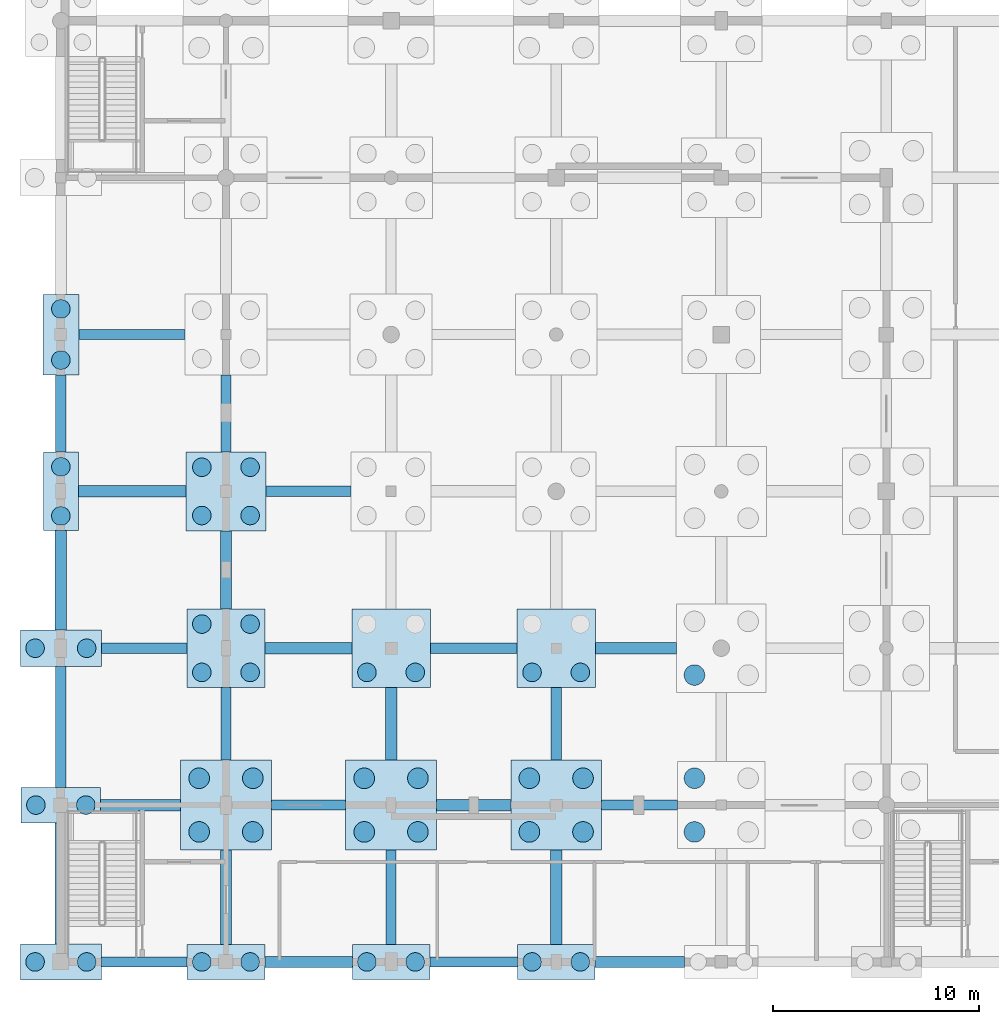
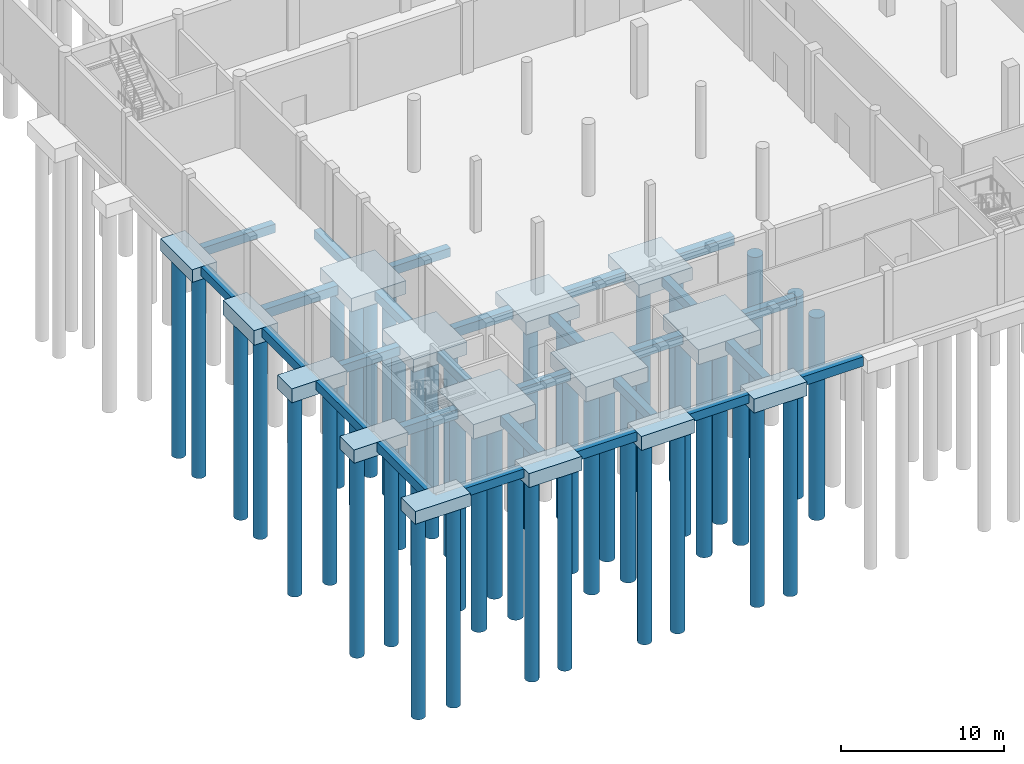
# One storey, part 1 of 44: 43 piles, 42 footings.
"""IFC4 building model written with IfcOpenShell, lengths in metres."""

from ifc_helpers import new_model, si_unit, direction, frame, origin, origin_2d, place, context, subcontext, project, spatial, polyline, circle, outline, extrude, material, material_profile, profile_set, type_object, element, save


model = new_model("IFC4")

# Units and contexts
model_context = context("Model", 3, precision=1e-05, world=origin(), true_north=direction((0.0, 1.0)))
body_context = subcontext(model_context, "Body", "Model", "MODEL_VIEW")
ifc_project = project(units=[si_unit("LENGTHUNIT", "METRE"), si_unit("AREAUNIT", "SQUARE_METRE"), si_unit("VOLUMEUNIT", "CUBIC_METRE"), si_unit("PLANEANGLEUNIT", "RADIAN"), si_unit("MASSUNIT", "GRAM", prefix="KILO")], contexts=[model_context])

# Site, building, storey
site_placement = place(None, origin())
site = spatial("IfcSite", under=ifc_project, at=site_placement, CompositionType="ELEMENT")
building_placement = place(site_placement, origin())
building = spatial("IfcBuilding", under=site, at=building_placement, Name="Khelvaren Railside Concert Hall", CompositionType="ELEMENT")
storey_placement = place(building_placement, frame((0.0, 0.0, -5.39990234375)))
storey = spatial("IfcBuildingStorey", under=building, at=storey_placement, Name="B1", CompositionType="ELEMENT", Elevation=-5.39990234375)

# Piles
ifc_material = material(Name="Concrete C35/45", Category="concrete")
ifc_material_profile_1 = material_profile(ifc_material, circle(Radius=0.449951171875, at=origin_2d()), Name="BP D900")
ifc_profile_set_1 = profile_set([ifc_material_profile_1], Name="Concrete C35/45")
pile_type_1 = type_object("IfcPileType", Name="BP51", PredefinedType="BORED", material=ifc_profile_set_1)
for number, where, z_axis, x_axis, name in (
    (1, (-1.25, 0.0, -1.35009765625), (0.0, 0.0, -1.0), (1.0, 0.0, 0.0), "Bored Pile BP51 PC-V1-000-1"),
    (2, (1.25, 0.0, -1.35009765625), (0.0, 0.0, -1.0), (1.0, 0.0, 0.0), "Bored Pile BP51 PC-V1-000-2"),
):
    element("IfcPile", number, at=place(storey_placement, frame(where, z_axis=z_axis, x_axis=x_axis)), inside=storey, type_object=pile_type_1, Name=name, PredefinedType="BORED", context=body_context, shape_type="SweptSolid", body=[
        extrude(circle(Radius=0.449951171875, at=origin_2d()), origin(), (0.0, 0.0, 1.0), 15.25),
    ])
for number, where, z_axis, x_axis, name in (
    (3, (-1.2099609375, 7.60009765625, -1.400146484375), (0.0, 0.0, -1.0), (1.0, 0.0, 0.0), "Bored Pile BP51 PC-V1-001-1"),
    (4, (1.2099609375, 7.60009765625, -1.400146484375), (0.0, 0.0, -1.0), (1.0, 0.0, 0.0), "Bored Pile BP51 PC-V1-001-2"),
):
    element("IfcPile", number, at=place(storey_placement, frame(where, z_axis=z_axis, x_axis=x_axis)), inside=storey, type_object=pile_type_1, Name=name, PredefinedType="BORED", context=body_context, shape_type="SweptSolid", body=[
        extrude(circle(Radius=0.449951171875, at=origin_2d()), origin(), (0.0, 0.0, 1.0), 15.199951171875),
    ])
for number, where, z_axis, x_axis, name in (
    (5, (-1.25, 15.199951171875, -1.4501953125), (0.0, 0.0, -1.0), (1.0, 0.0, 0.0), "Bored Pile BP51 PC-V1-002-1"),
    (6, (1.25, 15.199951171875, -1.4501953125), (0.0, 0.0, -1.0), (1.0, 0.0, 0.0), "Bored Pile BP51 PC-V1-002-2"),
):
    element("IfcPile", number, at=place(storey_placement, frame(where, z_axis=z_axis, x_axis=x_axis)), inside=storey, type_object=pile_type_1, Name=name, PredefinedType="BORED", context=body_context, shape_type="SweptSolid", body=[
        extrude(circle(Radius=0.449951171875, at=origin_2d()), origin(), (0.0, 0.0, 1.0), 15.14990234375),
    ])
for number, where, z_axis, x_axis, name in (
    (7, (0.0, 21.610107421875, -1.5), (0.0, 0.0, -1.0), (1.0, 0.0, 0.0), "Bored Pile BP51 PC-V1-003-1"),
    (8, (0.0, 23.989990234375, -1.5), (0.0, 0.0, -1.0), (1.0, 0.0, 0.0), "Bored Pile BP51 PC-V1-003-2"),
):
    element("IfcPile", number, at=place(storey_placement, frame(where, z_axis=z_axis, x_axis=x_axis)), inside=storey, type_object=pile_type_1, Name=name, PredefinedType="BORED", context=body_context, shape_type="SweptSolid", body=[
        extrude(circle(Radius=0.449951171875, at=origin_2d()), origin(), (0.0, 0.0, 1.0), 15.10009765625),
    ])
for number, where, z_axis, x_axis, name in (
    (9, (0.0, 29.159912109375, -1.35009765625), (0.0, 0.0, -1.0), (1.0, 0.0, 0.0), "Bored Pile BP51 PC-V1-004-1"),
    (10, (0.0, 31.639892578125, -1.35009765625), (0.0, 0.0, -1.0), (1.0, 0.0, 0.0), "Bored Pile BP51 PC-V1-004-2"),
):
    element("IfcPile", number, at=place(storey_placement, frame(where, z_axis=z_axis, x_axis=x_axis)), inside=storey, type_object=pile_type_1, Name=name, PredefinedType="BORED", context=body_context, shape_type="SweptSolid", body=[
        extrude(circle(Radius=0.449951171875, at=origin_2d()), origin(), (0.0, 0.0, 1.0), 15.25),
    ])
for number, where, z_axis, x_axis, name in (
    (11, (6.830078125, 0.0, -1.4501953125), (0.0, 0.0, -1.0), (1.0, 0.0, 0.0), "Bored Pile BP51 PC-V1-014-1"),
    (12, (9.169921875, 0.0, -1.4501953125), (0.0, 0.0, -1.0), (1.0, 0.0, 0.0), "Bored Pile BP51 PC-V1-014-2"),
):
    element("IfcPile", number, at=place(storey_placement, frame(where, z_axis=z_axis, x_axis=x_axis)), inside=storey, type_object=pile_type_1, Name=name, PredefinedType="BORED", context=body_context, shape_type="SweptSolid", body=[
        extrude(circle(Radius=0.449951171875, at=origin_2d()), origin(), (0.0, 0.0, 1.0), 15.14990234375),
    ])
for number, where, z_axis, x_axis, name in (
    (13, (6.830078125, 14.030029296875, -1.35009765625), (0.0, 0.0, -1.0), (1.0, 0.0, 0.0), "Bored Pile BP51 PC-V1-016-1"),
    (14, (9.169921875, 14.030029296875, -1.35009765625), (0.0, 0.0, -1.0), (1.0, 0.0, 0.0), "Bored Pile BP51 PC-V1-016-2"),
    (15, (6.830078125, 16.3701171875, -1.35009765625), (0.0, 0.0, -1.0), (1.0, 0.0, 0.0), "Bored Pile BP51 PC-V1-016-3"),
    (16, (9.169921875, 16.3701171875, -1.35009765625), (0.0, 0.0, -1.0), (1.0, 0.0, 0.0), "Bored Pile BP51 PC-V1-016-4"),
):
    element("IfcPile", number, at=place(storey_placement, frame(where, z_axis=z_axis, x_axis=x_axis)), inside=storey, type_object=pile_type_1, Name=name, PredefinedType="BORED", context=body_context, shape_type="SweptSolid", body=[
        extrude(circle(Radius=0.449951171875, at=origin_2d()), origin(), (0.0, 0.0, 1.0), 15.25),
    ])
for number, where, z_axis, x_axis, name in (
    (17, (6.830078125, 21.6298828125, -1.400146484375), (0.0, 0.0, -1.0), (1.0, 0.0, 0.0), "Bored Pile BP51 PC-V1-017-1"),
    (18, (9.169921875, 21.6298828125, -1.400146484375), (0.0, 0.0, -1.0), (1.0, 0.0, 0.0), "Bored Pile BP51 PC-V1-017-2"),
    (19, (6.830078125, 23.969970703125, -1.400146484375), (0.0, 0.0, -1.0), (1.0, 0.0, 0.0), "Bored Pile BP51 PC-V1-017-3"),
    (20, (9.169921875, 23.969970703125, -1.400146484375), (0.0, 0.0, -1.0), (1.0, 0.0, 0.0), "Bored Pile BP51 PC-V1-017-4"),
):
    element("IfcPile", number, at=place(storey_placement, frame(where, z_axis=z_axis, x_axis=x_axis)), inside=storey, type_object=pile_type_1, Name=name, PredefinedType="BORED", context=body_context, shape_type="SweptSolid", body=[
        extrude(circle(Radius=0.449951171875, at=origin_2d()), origin(), (0.0, 0.0, 1.0), 15.199951171875),
    ])
for number, where, z_axis, x_axis, name in (
    (21, (14.830078125, 0.0, -1.4501953125), (0.0, 0.0, -1.0), (1.0, 0.0, 0.0), "Bored Pile BP51 PC-V1-030-1"),
    (22, (17.169921875, 0.0, -1.4501953125), (0.0, 0.0, -1.0), (1.0, 0.0, 0.0), "Bored Pile BP51 PC-V1-030-2"),
):
    element("IfcPile", number, at=place(storey_placement, frame(where, z_axis=z_axis, x_axis=x_axis)), inside=storey, type_object=pile_type_1, Name=name, PredefinedType="BORED", context=body_context, shape_type="SweptSolid", body=[
        extrude(circle(Radius=0.449951171875, at=origin_2d()), origin(), (0.0, 0.0, 1.0), 15.14990234375),
    ])
for number, where, z_axis, x_axis, name in (
    (23, (14.830078125, 14.030029296875, -1.35009765625), (0.0, 0.0, -1.0), (1.0, 0.0, 0.0), "Bored Pile BP51 PC-V1-032-1"),
    (24, (17.169921875, 14.030029296875, -1.35009765625), (0.0, 0.0, -1.0), (1.0, 0.0, 0.0), "Bored Pile BP51 PC-V1-032-2"),
):
    element("IfcPile", number, at=place(storey_placement, frame(where, z_axis=z_axis, x_axis=x_axis)), inside=storey, type_object=pile_type_1, Name=name, PredefinedType="BORED", context=body_context, shape_type="SweptSolid", body=[
        extrude(circle(Radius=0.449951171875, at=origin_2d()), origin(), (0.0, 0.0, 1.0), 15.25),
    ])
for number, where, z_axis, x_axis, name in (
    (25, (22.830078125, 0.0, -1.4501953125), (0.0, 0.0, -1.0), (1.0, 0.0, 0.0), "Bored Pile BP51 PC-V1-046-1"),
    (26, (25.169921875, 0.0, -1.4501953125), (0.0, 0.0, -1.0), (1.0, 0.0, 0.0), "Bored Pile BP51 PC-V1-046-2"),
):
    element("IfcPile", number, at=place(storey_placement, frame(where, z_axis=z_axis, x_axis=x_axis)), inside=storey, type_object=pile_type_1, Name=name, PredefinedType="BORED", context=body_context, shape_type="SweptSolid", body=[
        extrude(circle(Radius=0.449951171875, at=origin_2d()), origin(), (0.0, 0.0, 1.0), 15.14990234375),
    ])
for number, where, z_axis, x_axis, name in (
    (27, (22.830078125, 14.030029296875, -1.35009765625), (0.0, 0.0, -1.0), (1.0, 0.0, 0.0), "Bored Pile BP51 PC-V1-048-1"),
    (28, (25.169921875, 14.030029296875, -1.35009765625), (0.0, 0.0, -1.0), (1.0, 0.0, 0.0), "Bored Pile BP51 PC-V1-048-2"),
):
    element("IfcPile", number, at=place(storey_placement, frame(where, z_axis=z_axis, x_axis=x_axis)), inside=storey, type_object=pile_type_1, Name=name, PredefinedType="BORED", context=body_context, shape_type="SweptSolid", body=[
        extrude(circle(Radius=0.449951171875, at=origin_2d()), origin(), (0.0, 0.0, 1.0), 15.25),
    ])
ifc_material_profile_2 = material_profile(ifc_material, circle(Radius=0.5, at=origin_2d()), Name="BP D1000")
ifc_profile_set_2 = profile_set([ifc_material_profile_2], Name="Concrete C35/45")
pile_type_2 = type_object("IfcPileType", Name="BP88", PredefinedType="BORED", material=ifc_profile_set_2)
for number, where, z_axis, x_axis, name in (
    (29, (6.699951171875, 6.300048828125, -1.5), (0.0, 0.0, -1.0), (1.0, 0.0, 0.0), "Bored Pile BP88 PC-V1-015-1"),
    (30, (9.300048828125, 6.300048828125, -1.5), (0.0, 0.0, -1.0), (1.0, 0.0, 0.0), "Bored Pile BP88 PC-V1-015-2"),
    (31, (6.699951171875, 8.89990234375, -1.5), (0.0, 0.0, -1.0), (1.0, 0.0, 0.0), "Bored Pile BP88 PC-V1-015-3"),
    (32, (9.300048828125, 8.89990234375, -1.5), (0.0, 0.0, -1.0), (1.0, 0.0, 0.0), "Bored Pile BP88 PC-V1-015-4"),
    (33, (14.699951171875, 6.300048828125, -1.5), (0.0, 0.0, -1.0), (1.0, 0.0, 0.0), "Bored Pile BP88 PC-V1-031-1"),
    (34, (17.300048828125, 6.300048828125, -1.5), (0.0, 0.0, -1.0), (1.0, 0.0, 0.0), "Bored Pile BP88 PC-V1-031-2"),
    (35, (14.699951171875, 8.89990234375, -1.5), (0.0, 0.0, -1.0), (1.0, 0.0, 0.0), "Bored Pile BP88 PC-V1-031-3"),
    (36, (17.300048828125, 8.89990234375, -1.5), (0.0, 0.0, -1.0), (1.0, 0.0, 0.0), "Bored Pile BP88 PC-V1-031-4"),
    (37, (22.699951171875, 6.300048828125, -1.5), (0.0, 0.0, -1.0), (1.0, 0.0, 0.0), "Bored Pile BP88 PC-V1-047-1"),
    (38, (25.300048828125, 6.300048828125, -1.5), (0.0, 0.0, -1.0), (1.0, 0.0, 0.0), "Bored Pile BP88 PC-V1-047-2"),
    (39, (22.699951171875, 8.89990234375, -1.5), (0.0, 0.0, -1.0), (1.0, 0.0, 0.0), "Bored Pile BP88 PC-V1-047-3"),
    (40, (25.300048828125, 8.89990234375, -1.5), (0.0, 0.0, -1.0), (1.0, 0.0, 0.0), "Bored Pile BP88 PC-V1-047-4"),
):
    element("IfcPile", number, at=place(storey_placement, frame(where, z_axis=z_axis, x_axis=x_axis)), inside=storey, type_object=pile_type_2, Name=name, PredefinedType="BORED", context=body_context, shape_type="SweptSolid", body=[
        extrude(circle(Radius=0.5, at=origin_2d()), origin(), (0.0, 0.0, 1.0), 15.10009765625),
    ])
for number, where, z_axis, x_axis, name in (
    (41, (30.699951171875, 6.300048828125, -1.400146484375), (0.0, 0.0, -1.0), (1.0, 0.0, 0.0), "Bored Pile BP88 PC-V1-061-1"),
    (42, (30.699951171875, 8.89990234375, -1.400146484375), (0.0, 0.0, -1.0), (1.0, 0.0, 0.0), "Bored Pile BP88 PC-V1-061-3"),
):
    element("IfcPile", number, at=place(storey_placement, frame(where, z_axis=z_axis, x_axis=x_axis)), inside=storey, type_object=pile_type_2, Name=name, PredefinedType="BORED", context=body_context, shape_type="SweptSolid", body=[
        extrude(circle(Radius=0.5, at=origin_2d()), origin(), (0.0, 0.0, 1.0), 15.199951171875),
    ])
pile_placement = place(storey_placement, frame((30.699951171875, 13.89990234375, -1.4501953125), z_axis=(0.0, 0.0, -1.0), x_axis=(1.0, 0.0, 0.0)))
element("IfcPile", 43, at=pile_placement, inside=storey, type_object=pile_type_2, Name="Bored Pile BP88 PC-V1-062-1", PredefinedType="BORED", context=body_context, shape_type="SweptSolid", body=[
    extrude(circle(Radius=0.5, at=origin_2d()), origin(), (0.0, 0.0, 1.0), 15.14990234375),
])

# Footings
footing_type_1 = type_object("IfcFootingType", Name="GB49", PredefinedType="FOOTING_BEAM", material=ifc_material)
footing_1_placement = place(storey_placement, frame((0.0, 0.0, -1.150146484375)))
element("IfcFooting", 44, at=footing_1_placement, inside=storey, type_object=footing_type_1, Name="Ground Tie Beam GB49 1", PredefinedType="FOOTING_BEAM", context=body_context, shape_type="SweptSolid", body=[
    extrude(outline(polyline([(1.9599609375, -0.25), (6.1201171875, -0.25), (6.1201171875, 0.25), (1.9599609375, 0.25), (1.9599609375, -0.25)])), origin(), (0.0, 0.0, 1.0), 0.650146484375),
])
footing_2_placement = place(storey_placement, frame((0.0, 0.0, -1.150146484375)))
element("IfcFooting", 45, at=footing_2_placement, inside=storey, type_object=footing_type_1, Name="Ground Tie Beam GB49 3", PredefinedType="FOOTING_BEAM", context=body_context, shape_type="SweptSolid", body=[
    extrude(outline(polyline([(17.8798828125, -0.25), (22.1201171875, -0.25), (22.1201171875, 0.25), (17.8798828125, 0.25), (17.8798828125, -0.25)])), origin(), (0.0, 0.0, 1.0), 0.650146484375),
])
footing_3_placement = place(storey_placement, frame((0.0, 0.0, -1.150146484375)))
element("IfcFooting", 46, at=footing_3_placement, inside=storey, type_object=footing_type_1, Name="Ground Tie Beam GB49 25", PredefinedType="FOOTING_BEAM", context=body_context, shape_type="SweptSolid", body=[
    extrude(outline(polyline([(10.199951171875, 7.35009765625), (13.800048828125, 7.35009765625), (13.800048828125, 7.85009765625), (10.199951171875, 7.85009765625), (10.199951171875, 7.35009765625)])), origin(), (0.0, 0.0, 1.0), 0.650146484375),
])
footing_4_placement = place(storey_placement, frame((0.0, 0.0, -1.150146484375)))
element("IfcFooting", 47, at=footing_4_placement, inside=storey, type_object=footing_type_1, Name="Ground Tie Beam GB49 27", PredefinedType="FOOTING_BEAM", context=body_context, shape_type="SweptSolid", body=[
    extrude(outline(polyline([(26.199951171875, 7.35009765625), (29.8798828125, 7.35009765625), (29.8798828125, 7.85009765625), (26.199951171875, 7.85009765625), (26.199951171875, 7.35009765625)])), origin(), (0.0, 0.0, 1.0), 0.650146484375),
])
footing_5_placement = place(storey_placement, frame((0.0, 0.0, -1.150146484375)))
element("IfcFooting", 48, at=footing_5_placement, inside=storey, type_object=footing_type_1, Name="Ground Tie Beam GB49 47", PredefinedType="FOOTING_BEAM", context=body_context, shape_type="SweptSolid", body=[
    extrude(outline(polyline([(1.9599609375, 14.949951171875), (6.10009765625, 14.949951171875), (6.10009765625, 15.449951171875), (1.9599609375, 15.449951171875), (1.9599609375, 14.949951171875)])), origin(), (0.0, 0.0, 1.0), 0.650146484375),
])
footing_6_placement = place(storey_placement, frame((0.0, 0.0, -1.150146484375)))
element("IfcFooting", 49, at=footing_6_placement, inside=storey, type_object=footing_type_1, Name="Ground Tie Beam GB49 49", PredefinedType="FOOTING_BEAM", context=body_context, shape_type="SweptSolid", body=[
    extrude(outline(polyline([(17.89990234375, 14.949951171875), (22.10009765625, 14.949951171875), (22.10009765625, 15.449951171875), (17.89990234375, 15.449951171875), (17.89990234375, 14.949951171875)])), origin(), (0.0, 0.0, 1.0), 0.650146484375),
])
footing_7_placement = place(storey_placement, frame((0.0, 0.0, -1.150146484375)))
element("IfcFooting", 50, at=footing_7_placement, inside=storey, type_object=footing_type_1, Name="Ground Tie Beam GB49 71", PredefinedType="FOOTING_BEAM", context=body_context, shape_type="SweptSolid", body=[
    extrude(outline(polyline([(9.93994140625, 22.550048828125), (14.06005859375, 22.550048828125), (14.06005859375, 23.050048828125), (9.93994140625, 23.050048828125), (9.93994140625, 22.550048828125)])), origin(), (0.0, 0.0, 1.0), 0.650146484375),
])
footing_8_placement = place(storey_placement, frame((0.0, 0.0, -1.150146484375)))
element("IfcFooting", 51, at=footing_8_placement, inside=storey, type_object=footing_type_1, Name="Ground Tie Beam GB49 93", PredefinedType="FOOTING_BEAM", context=body_context, shape_type="SweptSolid", body=[
    extrude(outline(polyline([(0.875, 30.14990234375), (6.02001953125, 30.14990234375), (6.02001953125, 30.64990234375), (0.875, 30.64990234375), (0.875, 30.14990234375)])), origin(), (0.0, 0.0, 1.0), 0.650146484375),
])
footing_9_placement = place(storey_placement, frame((0.0, 0.0, -1.150146484375)))
element("IfcFooting", 52, at=footing_9_placement, inside=storey, type_object=footing_type_1, Name="Ground Tie Beam GB49 209", PredefinedType="FOOTING_BEAM", context=body_context, shape_type="SweptSolid", body=[
    extrude(outline(polyline([(-0.25, 8.4599609375), (0.25, 8.4599609375), (0.25, 14.324951171875), (-0.25, 14.324951171875), (-0.25, 8.4599609375)])), origin(), (0.0, 0.0, 1.0), 0.650146484375),
])
footing_10_placement = place(storey_placement, frame((0.0, 0.0, -1.150146484375)))
element("IfcFooting", 53, at=footing_10_placement, inside=storey, type_object=footing_type_1, Name="Ground Tie Beam GB49 211", PredefinedType="FOOTING_BEAM", context=body_context, shape_type="SweptSolid", body=[
    extrude(outline(polyline([(-0.25, 24.699951171875), (0.25, 24.699951171875), (0.25, 28.449951171875), (-0.25, 28.449951171875), (-0.25, 24.699951171875)])), origin(), (0.0, 0.0, 1.0), 0.650146484375),
])
footing_11_placement = place(storey_placement, frame((0.0, 0.0, -1.150146484375)))
element("IfcFooting", 54, at=footing_11_placement, inside=storey, type_object=footing_type_1, Name="Ground Tie Beam GB49 221", PredefinedType="FOOTING_BEAM", context=body_context, shape_type="SweptSolid", body=[
    extrude(outline(polyline([(7.75, 9.780029296875), (8.25, 9.780029296875), (8.25, 13.300048828125), (7.75, 13.300048828125), (7.75, 9.780029296875)])), origin(), (0.0, 0.0, 1.0), 0.650146484375),
])
footing_12_placement = place(storey_placement, frame((0.0, 0.0, -1.150146484375)))
element("IfcFooting", 55, at=footing_12_placement, inside=storey, type_object=footing_type_1, Name="Ground Tie Beam GB49 223", PredefinedType="FOOTING_BEAM", context=body_context, shape_type="SweptSolid", body=[
    extrude(outline(polyline([(7.75, 24.719970703125), (8.25, 24.719970703125), (8.25, 28.43994140625), (7.75, 28.43994140625), (7.75, 24.719970703125)])), origin(), (0.0, 0.0, 1.0), 0.650146484375),
])
footing_13_placement = place(storey_placement, frame((0.0, 0.0, -1.150146484375)))
element("IfcFooting", 56, at=footing_13_placement, inside=storey, type_object=footing_type_1, Name="Ground Tie Beam GB49 235", PredefinedType="FOOTING_BEAM", context=body_context, shape_type="SweptSolid", body=[
    extrude(outline(polyline([(15.75, 0.85009765625), (16.25, 0.85009765625), (16.25, 5.419921875), (15.75, 5.419921875), (15.75, 0.85009765625)])), origin(), (0.0, 0.0, 1.0), 0.650146484375),
])
footing_14_placement = place(storey_placement, frame((0.0, 0.0, -1.150146484375)))
element("IfcFooting", 57, at=footing_14_placement, inside=storey, type_object=footing_type_1, Name="Ground Tie Beam GB49 251", PredefinedType="FOOTING_BEAM", context=body_context, shape_type="SweptSolid", body=[
    extrude(outline(polyline([(23.75, 9.780029296875), (24.25, 9.780029296875), (24.25, 13.300048828125), (23.75, 13.300048828125), (23.75, 9.780029296875)])), origin(), (0.0, 0.0, 1.0), 0.650146484375),
])
footing_type_2 = type_object("IfcFootingType", Name="GB57", PredefinedType="FOOTING_BEAM", material=ifc_material)
footing_15_placement = place(storey_placement, frame((0.0, 0.0, -1.2001953125)))
element("IfcFooting", 58, at=footing_15_placement, inside=storey, type_object=footing_type_2, Name="Ground Tie Beam GB57 2", PredefinedType="FOOTING_BEAM", context=body_context, shape_type="SweptSolid", body=[
    extrude(outline(polyline([(9.8798828125, -0.27490234375), (14.1201171875, -0.27490234375), (14.1201171875, 0.27490234375), (9.8798828125, 0.27490234375), (9.8798828125, -0.27490234375)])), origin(), (0.0, 0.0, 1.0), 0.7001953125),
])
footing_16_placement = place(storey_placement, frame((0.0, 0.0, -1.2001953125)))
element("IfcFooting", 59, at=footing_16_placement, inside=storey, type_object=footing_type_2, Name="Ground Tie Beam GB57 4", PredefinedType="FOOTING_BEAM", context=body_context, shape_type="SweptSolid", body=[
    extrude(outline(polyline([(25.8798828125, -0.27490234375), (30.219970703125, -0.27490234375), (30.219970703125, 0.27490234375), (25.8798828125, 0.27490234375), (25.8798828125, -0.27490234375)])), origin(), (0.0, 0.0, 1.0), 0.7001953125),
])
footing_17_placement = place(storey_placement, frame((0.0, 0.0, -1.2001953125)))
element("IfcFooting", 60, at=footing_17_placement, inside=storey, type_object=footing_type_2, Name="Ground Tie Beam GB57 24", PredefinedType="FOOTING_BEAM", context=body_context, shape_type="SweptSolid", body=[
    extrude(outline(polyline([(1.919921875, 7.324951171875), (5.800048828125, 7.324951171875), (5.800048828125, 7.875), (1.919921875, 7.875), (1.919921875, 7.324951171875)])), origin(), (0.0, 0.0, 1.0), 0.7001953125),
])
footing_18_placement = place(storey_placement, frame((0.0, 0.0, -1.2001953125)))
element("IfcFooting", 61, at=footing_18_placement, inside=storey, type_object=footing_type_2, Name="Ground Tie Beam GB57 26", PredefinedType="FOOTING_BEAM", context=body_context, shape_type="SweptSolid", body=[
    extrude(outline(polyline([(18.199951171875, 7.324951171875), (21.800048828125, 7.324951171875), (21.800048828125, 7.875), (18.199951171875, 7.875), (18.199951171875, 7.324951171875)])), origin(), (0.0, 0.0, 1.0), 0.7001953125),
])
footing_19_placement = place(storey_placement, frame((0.0, 0.0, -1.2001953125)))
element("IfcFooting", 62, at=footing_19_placement, inside=storey, type_object=footing_type_2, Name="Ground Tie Beam GB57 48", PredefinedType="FOOTING_BEAM", context=body_context, shape_type="SweptSolid", body=[
    extrude(outline(polyline([(9.89990234375, 14.925048828125), (14.10009765625, 14.925048828125), (14.10009765625, 15.47509765625), (9.89990234375, 15.47509765625), (9.89990234375, 14.925048828125)])), origin(), (0.0, 0.0, 1.0), 0.7001953125),
])
footing_20_placement = place(storey_placement, frame((0.0, 0.0, -1.2001953125)))
element("IfcFooting", 63, at=footing_20_placement, inside=storey, type_object=footing_type_2, Name="Ground Tie Beam GB57 50", PredefinedType="FOOTING_BEAM", context=body_context, shape_type="SweptSolid", body=[
    extrude(outline(polyline([(25.89990234375, 14.925048828125), (29.840087890625, 14.925048828125), (29.840087890625, 15.47509765625), (25.89990234375, 15.47509765625), (25.89990234375, 14.925048828125)])), origin(), (0.0, 0.0, 1.0), 0.7001953125),
])
footing_21_placement = place(storey_placement, frame((0.0, 0.0, -1.2001953125)))
element("IfcFooting", 64, at=footing_21_placement, inside=storey, type_object=footing_type_2, Name="Ground Tie Beam GB57 70", PredefinedType="FOOTING_BEAM", context=body_context, shape_type="SweptSolid", body=[
    extrude(outline(polyline([(0.85009765625, 22.52490234375), (6.06005859375, 22.52490234375), (6.06005859375, 23.074951171875), (0.85009765625, 23.074951171875), (0.85009765625, 22.52490234375)])), origin(), (0.0, 0.0, 1.0), 0.7001953125),
])
footing_22_placement = place(storey_placement, frame((0.0, 0.0, -1.2001953125)))
element("IfcFooting", 65, at=footing_22_placement, inside=storey, type_object=footing_type_2, Name="Ground Tie Beam GB57 208", PredefinedType="FOOTING_BEAM", context=body_context, shape_type="SweptSolid", body=[
    extrude(outline(polyline([(-0.27490234375, 0.875), (0.27490234375, 0.875), (0.27490234375, 6.739990234375), (-0.27490234375, 6.739990234375), (-0.27490234375, 0.875)])), origin(), (0.0, 0.0, 1.0), 0.7001953125),
])
footing_23_placement = place(storey_placement, frame((0.0, 0.0, -1.2001953125)))
element("IfcFooting", 66, at=footing_23_placement, inside=storey, type_object=footing_type_2, Name="Ground Tie Beam GB57 210", PredefinedType="FOOTING_BEAM", context=body_context, shape_type="SweptSolid", body=[
    extrude(outline(polyline([(-0.27490234375, 16.074951171875), (0.27490234375, 16.074951171875), (0.27490234375, 20.89990234375), (-0.27490234375, 20.89990234375), (-0.27490234375, 16.074951171875)])), origin(), (0.0, 0.0, 1.0), 0.7001953125),
])
footing_24_placement = place(storey_placement, frame((0.0, 0.0, -1.2001953125)))
element("IfcFooting", 67, at=footing_24_placement, inside=storey, type_object=footing_type_2, Name="Ground Tie Beam GB57 220", PredefinedType="FOOTING_BEAM", context=body_context, shape_type="SweptSolid", body=[
    extrude(outline(polyline([(7.72509765625, 0.85009765625), (8.27490234375, 0.85009765625), (8.27490234375, 5.419921875), (7.72509765625, 5.419921875), (7.72509765625, 0.85009765625)])), origin(), (0.0, 0.0, 1.0), 0.7001953125),
])
footing_25_placement = place(storey_placement, frame((0.0, 0.0, -1.2001953125)))
element("IfcFooting", 68, at=footing_25_placement, inside=storey, type_object=footing_type_2, Name="Ground Tie Beam GB57 222", PredefinedType="FOOTING_BEAM", context=body_context, shape_type="SweptSolid", body=[
    extrude(outline(polyline([(7.72509765625, 17.10009765625), (8.27490234375, 17.10009765625), (8.27490234375, 20.8798828125), (7.72509765625, 20.8798828125), (7.72509765625, 17.10009765625)])), origin(), (0.0, 0.0, 1.0), 0.7001953125),
])
footing_26_placement = place(storey_placement, frame((0.0, 0.0, -1.2001953125)))
element("IfcFooting", 69, at=footing_26_placement, inside=storey, type_object=footing_type_2, Name="Ground Tie Beam GB57 236", PredefinedType="FOOTING_BEAM", context=body_context, shape_type="SweptSolid", body=[
    extrude(outline(polyline([(15.72509765625, 9.780029296875), (16.27490234375, 9.780029296875), (16.27490234375, 13.300048828125), (15.72509765625, 13.300048828125), (15.72509765625, 9.780029296875)])), origin(), (0.0, 0.0, 1.0), 0.7001953125),
])
footing_27_placement = place(storey_placement, frame((0.0, 0.0, -1.2001953125)))
element("IfcFooting", 70, at=footing_27_placement, inside=storey, type_object=footing_type_2, Name="Ground Tie Beam GB57 250", PredefinedType="FOOTING_BEAM", context=body_context, shape_type="SweptSolid", body=[
    extrude(outline(polyline([(23.72509765625, 0.85009765625), (24.27490234375, 0.85009765625), (24.27490234375, 5.419921875), (23.72509765625, 5.419921875), (23.72509765625, 0.85009765625)])), origin(), (0.0, 0.0, 1.0), 0.7001953125),
])
footing_type_3 = type_object("IfcFootingType", Name="PC23", PredefinedType="PILE_CAP", material=ifc_material)
footing_28_placement = place(storey_placement, frame((0.0, 0.0, -1.4501953125)))
element("IfcFooting", 71, at=footing_28_placement, inside=storey, type_object=footing_type_3, Name="Pile Cap PC23 (0.0,0.0)", PredefinedType="PILE_CAP", context=body_context, shape_type="SweptSolid", body=[
    extrude(outline(polyline([(-1.9599609375, -0.875), (1.9599609375, -0.875), (1.9599609375, 0.875), (-1.9599609375, 0.875), (-1.9599609375, -0.875)])), origin(), (0.0, 0.0, 1.0), 0.9501953125),
])
footing_type_4 = type_object("IfcFootingType", Name="PC24", PredefinedType="PILE_CAP", material=ifc_material)
footing_29_placement = place(storey_placement, frame((0.0, 0.0, -1.60009765625)))
element("IfcFooting", 72, at=footing_29_placement, inside=storey, type_object=footing_type_4, Name="Pile Cap PC24 (0.0,22.8)", PredefinedType="PILE_CAP", context=body_context, shape_type="SweptSolid", body=[
    extrude(outline(polyline([(-0.85009765625, 20.89990234375), (0.85009765625, 20.89990234375), (0.85009765625, 24.699951171875), (-0.85009765625, 24.699951171875), (-0.85009765625, 20.89990234375)])), origin(), (0.0, 0.0, 1.0), 1.10009765625),
])
footing_type_5 = type_object("IfcFootingType", Name="PC31", PredefinedType="PILE_CAP", material=ifc_material)
footing_30_placement = place(storey_placement, frame((0.0, 0.0, -1.4501953125)))
element("IfcFooting", 73, at=footing_30_placement, inside=storey, type_object=footing_type_5, Name="Pile Cap PC31 (8.0,15.2)", PredefinedType="PILE_CAP", context=body_context, shape_type="SweptSolid", body=[
    extrude(outline(polyline([(6.10009765625, 13.300048828125), (9.89990234375, 13.300048828125), (9.89990234375, 17.10009765625), (6.10009765625, 17.10009765625), (6.10009765625, 13.300048828125)])), origin(), (0.0, 0.0, 1.0), 0.9501953125),
])
footing_31_placement = place(storey_placement, frame((0.0, 0.0, -1.4501953125)))
element("IfcFooting", 74, at=footing_31_placement, inside=storey, type_object=footing_type_5, Name="Pile Cap PC31 (16.0,15.2)", PredefinedType="PILE_CAP", context=body_context, shape_type="SweptSolid", body=[
    extrude(outline(polyline([(14.10009765625, 13.300048828125), (17.89990234375, 13.300048828125), (17.89990234375, 17.10009765625), (14.10009765625, 17.10009765625), (14.10009765625, 13.300048828125)])), origin(), (0.0, 0.0, 1.0), 0.9501953125),
])
footing_32_placement = place(storey_placement, frame((0.0, 0.0, -1.4501953125)))
element("IfcFooting", 75, at=footing_32_placement, inside=storey, type_object=footing_type_5, Name="Pile Cap PC31 (24.0,15.2)", PredefinedType="PILE_CAP", context=body_context, shape_type="SweptSolid", body=[
    extrude(outline(polyline([(22.10009765625, 13.300048828125), (25.89990234375, 13.300048828125), (25.89990234375, 17.10009765625), (22.10009765625, 17.10009765625), (22.10009765625, 13.300048828125)])), origin(), (0.0, 0.0, 1.0), 0.9501953125),
])
footing_type_6 = type_object("IfcFootingType", Name="PC58", PredefinedType="PILE_CAP", material=ifc_material)
footing_33_placement = place(storey_placement, frame((0.0, 0.0, -1.550048828125)))
element("IfcFooting", 76, at=footing_33_placement, inside=storey, type_object=footing_type_6, Name="Pile Cap PC58 (8.0,0.0)", PredefinedType="PILE_CAP", context=body_context, shape_type="SweptSolid", body=[
    extrude(outline(polyline([(6.1201171875, -0.85009765625), (9.8798828125, -0.85009765625), (9.8798828125, 0.85009765625), (6.1201171875, 0.85009765625), (6.1201171875, -0.85009765625)])), origin(), (0.0, 0.0, 1.0), 1.050048828125),
])
footing_34_placement = place(storey_placement, frame((0.0, 0.0, -1.550048828125)))
element("IfcFooting", 77, at=footing_34_placement, inside=storey, type_object=footing_type_6, Name="Pile Cap PC58 (16.0,0.0)", PredefinedType="PILE_CAP", context=body_context, shape_type="SweptSolid", body=[
    extrude(outline(polyline([(14.1201171875, -0.85009765625), (17.8798828125, -0.85009765625), (17.8798828125, 0.85009765625), (14.1201171875, 0.85009765625), (14.1201171875, -0.85009765625)])), origin(), (0.0, 0.0, 1.0), 1.050048828125),
])
footing_35_placement = place(storey_placement, frame((0.0, 0.0, -1.550048828125)))
element("IfcFooting", 78, at=footing_35_placement, inside=storey, type_object=footing_type_6, Name="Pile Cap PC58 (24.0,0.0)", PredefinedType="PILE_CAP", context=body_context, shape_type="SweptSolid", body=[
    extrude(outline(polyline([(22.1201171875, -0.85009765625), (25.8798828125, -0.85009765625), (25.8798828125, 0.85009765625), (22.1201171875, 0.85009765625), (22.1201171875, -0.85009765625)])), origin(), (0.0, 0.0, 1.0), 1.050048828125),
])
footing_type_7 = type_object("IfcFootingType", Name="PC59", PredefinedType="PILE_CAP", material=ifc_material)
footing_36_placement = place(storey_placement, frame((0.0, 0.0, -1.5)))
element("IfcFooting", 79, at=footing_36_placement, inside=storey, type_object=footing_type_7, Name="Pile Cap PC59 (0.0,7.6)", PredefinedType="PILE_CAP", context=body_context, shape_type="SweptSolid", body=[
    extrude(outline(polyline([(-1.919921875, 6.739990234375), (1.919921875, 6.739990234375), (1.919921875, 8.4599609375), (-1.919921875, 8.4599609375), (-1.919921875, 6.739990234375)])), origin(), (0.0, 0.0, 1.0), 1.0),
])
footing_type_8 = type_object("IfcFootingType", Name="PC62", PredefinedType="PILE_CAP", material=ifc_material)
footing_37_placement = place(storey_placement, frame((0.0, 0.0, -1.550048828125)))
element("IfcFooting", 80, at=footing_37_placement, inside=storey, type_object=footing_type_8, Name="Pile Cap PC62 (0.0,15.2)", PredefinedType="PILE_CAP", context=body_context, shape_type="SweptSolid", body=[
    extrude(outline(polyline([(-1.9599609375, 14.324951171875), (1.9599609375, 14.324951171875), (1.9599609375, 16.074951171875), (-1.9599609375, 16.074951171875), (-1.9599609375, 14.324951171875)])), origin(), (0.0, 0.0, 1.0), 1.050048828125),
])
footing_type_9 = type_object("IfcFootingType", Name="PC63", PredefinedType="PILE_CAP", material=ifc_material)
footing_38_placement = place(storey_placement, frame((0.0, 0.0, -1.5)))
element("IfcFooting", 81, at=footing_38_placement, inside=storey, type_object=footing_type_9, Name="Pile Cap PC63 (8.0,22.8)", PredefinedType="PILE_CAP", context=body_context, shape_type="SweptSolid", body=[
    extrude(outline(polyline([(6.06005859375, 20.8798828125), (9.93994140625, 20.8798828125), (9.93994140625, 24.719970703125), (6.06005859375, 24.719970703125), (6.06005859375, 20.8798828125)])), origin(), (0.0, 0.0, 1.0), 1.0),
])
footing_type_10 = type_object("IfcFootingType", Name="PC74", PredefinedType="PILE_CAP", material=ifc_material)
footing_39_placement = place(storey_placement, frame((0.0, 0.0, -1.4501953125)))
element("IfcFooting", 82, at=footing_39_placement, inside=storey, type_object=footing_type_10, Name="Pile Cap PC74 (0.0,30.4)", PredefinedType="PILE_CAP", context=body_context, shape_type="SweptSolid", body=[
    extrude(outline(polyline([(-0.875, 28.449951171875), (0.875, 28.449951171875), (0.875, 32.35009765625), (-0.875, 32.35009765625), (-0.875, 28.449951171875)])), origin(), (0.0, 0.0, 1.0), 0.9501953125),
])
footing_type_11 = type_object("IfcFootingType", Name="PC79", PredefinedType="PILE_CAP", material=ifc_material)
footing_40_placement = place(storey_placement, frame((0.0, 0.0, -1.60009765625)))
element("IfcFooting", 83, at=footing_40_placement, inside=storey, type_object=footing_type_11, Name="Pile Cap PC79 (8.0,7.6)", PredefinedType="PILE_CAP", context=body_context, shape_type="SweptSolid", body=[
    extrude(outline(polyline([(5.800048828125, 5.419921875), (10.199951171875, 5.419921875), (10.199951171875, 9.780029296875), (5.800048828125, 9.780029296875), (5.800048828125, 5.419921875)])), origin(), (0.0, 0.0, 1.0), 1.10009765625),
])
footing_41_placement = place(storey_placement, frame((0.0, 0.0, -1.60009765625)))
element("IfcFooting", 84, at=footing_41_placement, inside=storey, type_object=footing_type_11, Name="Pile Cap PC79 (16.0,7.6)", PredefinedType="PILE_CAP", context=body_context, shape_type="SweptSolid", body=[
    extrude(outline(polyline([(13.800048828125, 5.419921875), (18.199951171875, 5.419921875), (18.199951171875, 9.780029296875), (13.800048828125, 9.780029296875), (13.800048828125, 5.419921875)])), origin(), (0.0, 0.0, 1.0), 1.10009765625),
])
footing_42_placement = place(storey_placement, frame((0.0, 0.0, -1.60009765625)))
element("IfcFooting", 85, at=footing_42_placement, inside=storey, type_object=footing_type_11, Name="Pile Cap PC79 (24.0,7.6)", PredefinedType="PILE_CAP", context=body_context, shape_type="SweptSolid", body=[
    extrude(outline(polyline([(21.800048828125, 5.419921875), (26.199951171875, 5.419921875), (26.199951171875, 9.780029296875), (21.800048828125, 9.780029296875), (21.800048828125, 5.419921875)])), origin(), (0.0, 0.0, 1.0), 1.10009765625),
])

save(model, "model.ifc")
